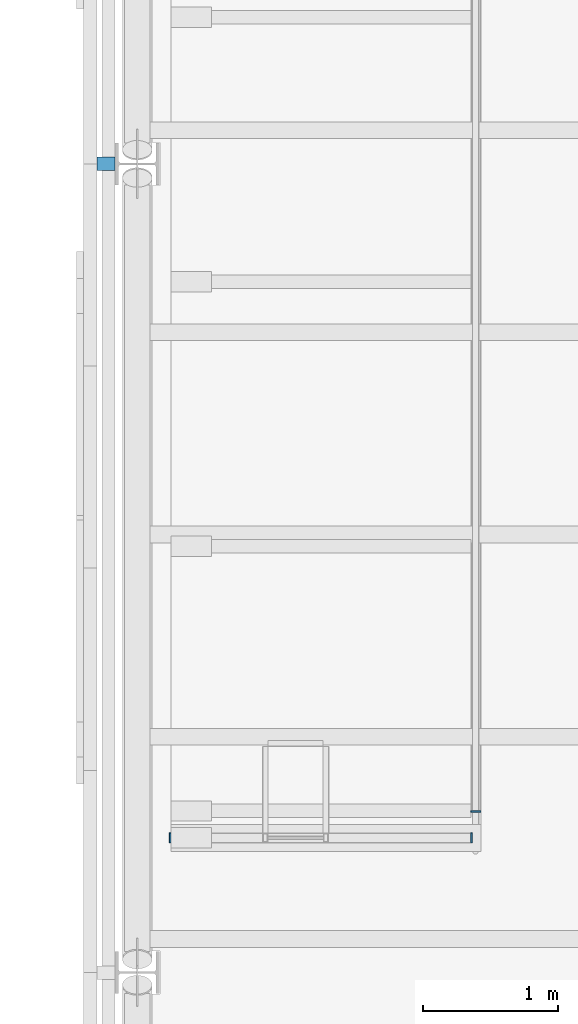
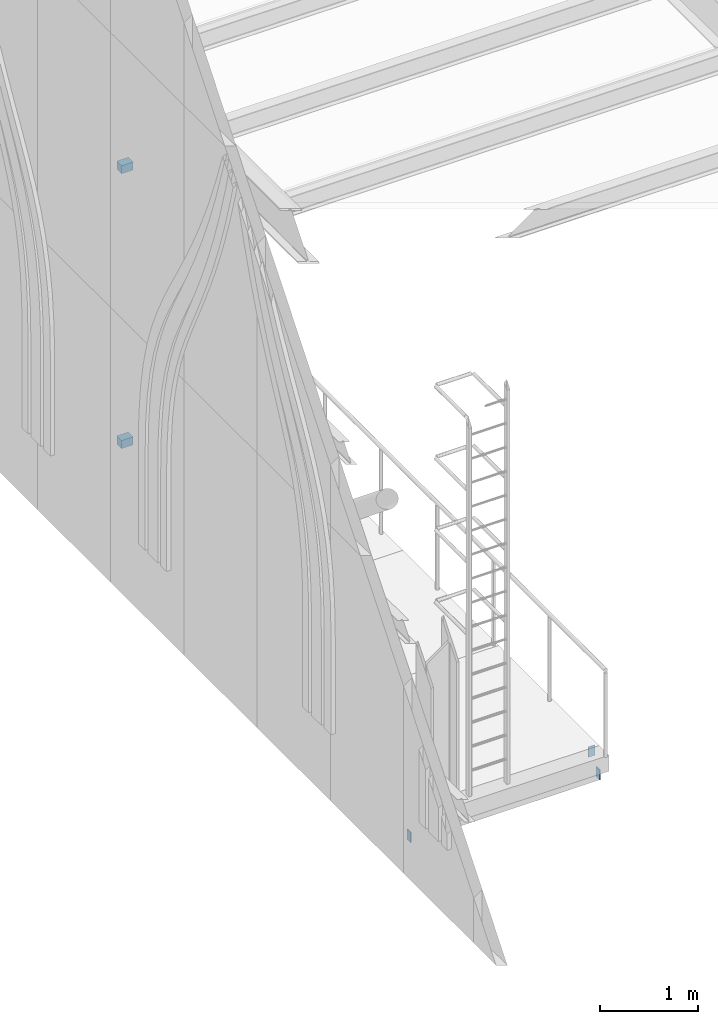
# One storey, part 19 of 43: 5 discrete accessories.
"""IFC4 building model written with IfcOpenShell, lengths in metres."""

from ifc_helpers import new_model, si_unit, direction, frame, origin, origin_2d, place, context, subcontext, project, spatial, rectangle, extrude, material, material_profile, profile_set, type_object, element, save


model = new_model("IFC4")

# Units and contexts
model_context = context("Model", 3, precision=1e-05, world=origin(), true_north=direction((0.0, 1.0)))
body_context = subcontext(model_context, "Body", "Model", "MODEL_VIEW")
ifc_project = project(units=[si_unit("LENGTHUNIT", "METRE"), si_unit("AREAUNIT", "SQUARE_METRE"), si_unit("VOLUMEUNIT", "CUBIC_METRE"), si_unit("PLANEANGLEUNIT", "RADIAN"), si_unit("MASSUNIT", "GRAM", prefix="KILO")], contexts=[model_context])

# Site, building, storey
site_placement = place(None, origin())
site = spatial("IfcSite", under=ifc_project, at=site_placement, CompositionType="ELEMENT")
building_placement = place(site_placement, origin())
building = spatial("IfcBuilding", under=site, at=building_placement, Name="Saffron Lane Theatres", CompositionType="ELEMENT")
storey_placement = place(building_placement, frame((0.0, 0.0, 23.0)))
storey = spatial("IfcBuildingStorey", under=building, at=storey_placement, Name="Roof", CompositionType="ELEMENT", Elevation=23.0)

# Discrete accessories
ifc_material = material(Name="Steel Grade 350", Category="steel")
ifc_material_profile = material_profile(ifc_material, rectangle(XDim=0.074951171875, YDim=0.125, at=origin_2d()))
ifc_profile_set = profile_set([ifc_material_profile], Name="Steel Grade 350")
discrete_accessory_type = type_object("IfcDiscreteAccessoryType", Name="ST-STEEL END CAP 125x75x5 RHS", PredefinedType="ANCHORPLATE", material=ifc_profile_set)
for number, where, z_axis, x_axis, name in (
    (1, (18.488037109375, 37.0, -0.262451171875), (1.0, 0.0, 0.0), (0.0, 1.0, 0.0), "EC591"),
    (2, (20.72509765625, 37.0, -0.262451171875), (1.0, 0.0, 0.0), (0.0, 1.0, 0.0), "EC592"),
    (3, (20.762451171875, 37.18798828125, -0.112548828125), (0.0, 1.0, 0.0), (-1.0, 0.0, 0.0), "EC593"),
):
    element("IfcDiscreteAccessory", number, at=place(storey_placement, frame(where, z_axis=z_axis, x_axis=x_axis)), inside=storey, type_object=discrete_accessory_type, Name=name, PredefinedType="ANCHORPLATE", context=body_context, shape_type="SweptSolid", body=[
        extrude(rectangle(XDim=0.074951171875, YDim=0.125, at=origin_2d()), origin(), (0.0, 0.0, 1.0), 0.011962890625),
    ])
for number, where, z_axis, x_axis, name in (
    (4, (18.018310546875, 42.0, 1.768798828125), (0.0, 0.0, 1.0), (0.0, 1.0, 0.0), "Tower panel bracket 57"),
    (5, (18.018310546875, 42.0, 5.206298828125), (0.0, 0.0, 1.0), (0.0, 1.0, 0.0), "Tower panel bracket 58"),
):
    element("IfcDiscreteAccessory", number, at=place(storey_placement, frame(where, z_axis=z_axis, x_axis=x_axis)), inside=storey, Name=name, PredefinedType="BRACKET", context=body_context, shape_type="SweptSolid", body=[
        extrude(rectangle(XDim=0.10009765625, YDim=0.136474609375, at=origin_2d()), origin(), (0.0, 0.0, 1.0), 0.10009765625),
    ])

save(model, "model.ifc")
